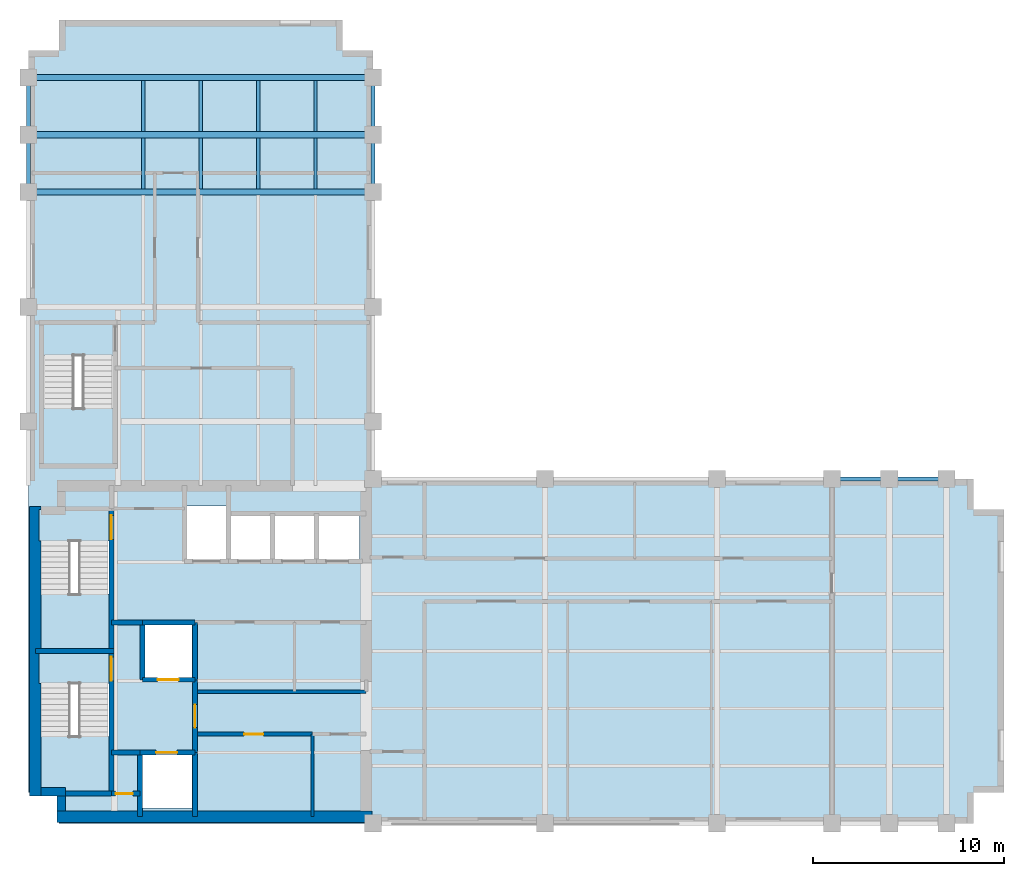
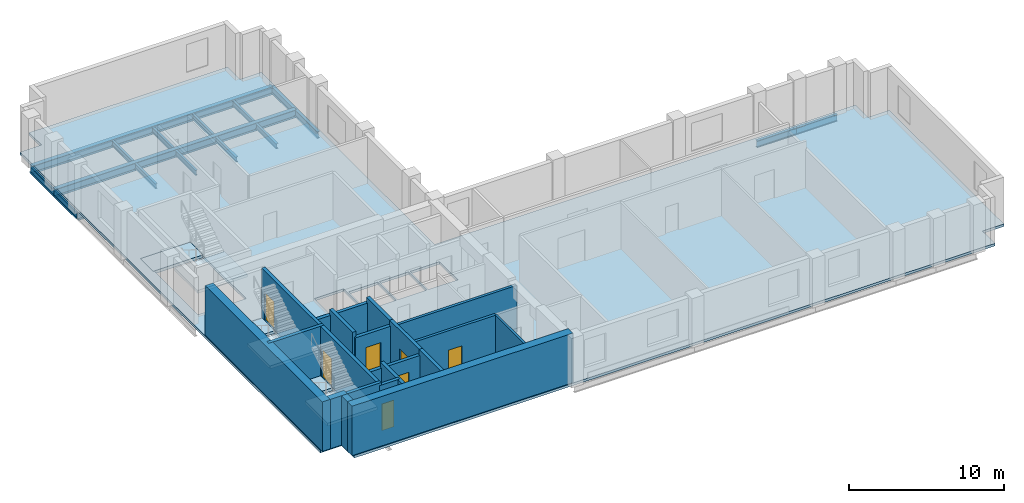
# One storey, part 2 of 6: 22 walls, 17 beams, 7 doors, 7 slabs, 7 openings, 3 elements without a shape of their own.
"""IFC4 building model written with IfcOpenShell, lengths in metres."""

from ifc_helpers import new_model, si_unit, direction, frame, frame_2d, origin, origin_2d, place, context, subcontext, project, spatial, polyline, rectangle, i_section, outline, extrude, material, layer, layer_set, material_profile, profile_set, type_object, element, fill, aggregate, save


model = new_model("IFC4")

# Units and contexts
model_context = context("Model", 3, precision=1e-05, world=origin(), true_north=direction((0.0, 1.0)))
body_context = subcontext(model_context, "Body", "Model", "MODEL_VIEW")
ifc_project = project(units=[si_unit("LENGTHUNIT", "METRE"), si_unit("AREAUNIT", "SQUARE_METRE"), si_unit("VOLUMEUNIT", "CUBIC_METRE"), si_unit("PLANEANGLEUNIT", "RADIAN"), si_unit("MASSUNIT", "GRAM", prefix="KILO")], contexts=[model_context])

# Site, building, storey
site_placement = place(None, origin())
site = spatial("IfcSite", under=ifc_project, at=site_placement, CompositionType="ELEMENT")
building_placement = place(site_placement, origin())
building = spatial("IfcBuilding", under=site, at=building_placement, Name="Mawjdan Bourse Tower", CompositionType="ELEMENT")
storey_placement = place(building_placement, frame((0.0, 0.0, 183.89990234375)))
storey = spatial("IfcBuildingStorey", under=building, at=storey_placement, Name="L44", CompositionType="ELEMENT", Elevation=183.89990234375)

# Beams
ifc_material_1 = material(Name="Structural Steel S355", Category="steel")
ifc_material_profile_1 = material_profile(ifc_material_1, i_section(OverallWidth=0.324951171875, OverallDepth=0.616943359375, WebThickness=0.013916015625, FlangeThickness=0.021484375, FilletRadius=0.017333984375, at=origin_2d()), Name="W24X117")
ifc_profile_set_1 = profile_set([ifc_material_profile_1], Name="Structural Steel S355")
beam_type_1 = type_object("IfcBeamType", Name="GRD-W24X117", PredefinedType="BEAM", material=ifc_profile_set_1)
for number, where, z_axis, x_axis, name in (
    (1, (6.0, 36.0, -0.50830078125), (1.0, 0.0, 0.0), (0.0, 1.0, 0.0), "L44 North Wing Clear-Span Girder 049"),
    (2, (6.0, 39.0, -0.50830078125), (1.0, 0.0, 0.0), (0.0, 1.0, 0.0), "L44 North Wing Clear-Span Girder 050"),
    (3, (6.0, 42.0, -0.50830078125), (1.0, 0.0, 0.0), (0.0, 1.0, 0.0), "L44 North Wing Clear-Span Girder 051"),
):
    element("IfcBeam", number, at=place(storey_placement, frame(where, z_axis=z_axis, x_axis=x_axis)), inside=storey, type_object=beam_type_1, Name=name, PredefinedType="BEAM", context=body_context, shape_type="SweptSolid", body=[
        extrude(i_section(OverallWidth=0.324951171875, OverallDepth=0.616943359375, WebThickness=0.013916015625, FlangeThickness=0.021484375, FilletRadius=0.017333984375, at=origin_2d()), origin(), (0.0, 0.0, 1.0), 18.0),
    ])
ifc_material_profile_2 = material_profile(ifc_material_1, i_section(OverallWidth=0.177978515625, OverallDepth=0.406982421875, WebThickness=0.0078125, FlangeThickness=0.0126953125, FilletRadius=0.01025390625, at=origin_2d()), Name="W16X40")
ifc_profile_set_2 = profile_set([ifc_material_profile_2], Name="Structural Steel S355")
beam_type_2 = type_object("IfcBeamType", Name="JST-W16X40", PredefinedType="JOIST", material=ifc_profile_set_2)
for number, where, z_axis, x_axis, name in (
    (4, (12.0, 36.160400390625, -0.4033203125), (0.0, 1.0, 0.0), (-1.0, 0.0, 0.0), "L44 North Wing Composite Joist 065"),
    (5, (12.0, 39.160400390625, -0.4033203125), (0.0, 1.0, 0.0), (-1.0, 0.0, 0.0), "L44 North Wing Composite Joist 066"),
    (6, (15.0, 36.160400390625, -0.4033203125), (0.0, 1.0, 0.0), (-1.0, 0.0, 0.0), "L44 North Wing Composite Joist 070"),
    (7, (15.0, 39.160400390625, -0.4033203125), (0.0, 1.0, 0.0), (-1.0, 0.0, 0.0), "L44 North Wing Composite Joist 071"),
    (8, (18.0, 36.160400390625, -0.4033203125), (0.0, 1.0, 0.0), (-1.0, 0.0, 0.0), "L44 North Wing Composite Joist 075"),
    (9, (18.0, 39.160400390625, -0.4033203125), (0.0, 1.0, 0.0), (-1.0, 0.0, 0.0), "L44 North Wing Composite Joist 076"),
    (10, (21.0, 36.160400390625, -0.4033203125), (0.0, 1.0, 0.0), (-1.0, 0.0, 0.0), "L44 North Wing Composite Joist 080"),
    (11, (21.0, 39.160400390625, -0.4033203125), (0.0, 1.0, 0.0), (-1.0, 0.0, 0.0), "L44 North Wing Composite Joist 081"),
):
    element("IfcBeam", number, at=place(storey_placement, frame(where, z_axis=z_axis, x_axis=x_axis)), inside=storey, type_object=beam_type_2, Name=name, PredefinedType="JOIST", context=body_context, shape_type="SweptSolid", body=[
        extrude(i_section(OverallWidth=0.177978515625, OverallDepth=0.406982421875, WebThickness=0.0078125, FlangeThickness=0.0126953125, FilletRadius=0.01025390625, at=origin_2d()), origin(), (0.0, 0.0, 1.0), 2.67919921875),
    ])
ifc_material_profile_3 = material_profile(ifc_material_1, i_section(OverallWidth=0.2119140625, OverallDepth=0.5439453125, WebThickness=0.01318359375, FlangeThickness=0.021240234375, FilletRadius=0.01708984375, at=origin_2d()), Name="W21X83")
ifc_profile_set_3 = profile_set([ifc_material_profile_3], Name="Structural Steel S355")
beam_type_3 = type_object("IfcBeamType", Name="SPN-W21X83", PredefinedType="SPANDREL", material=ifc_profile_set_3)
for number, where, z_axis, x_axis, name in (
    (12, (48.0, 21.0, -0.471923828125), (1.0, 0.0, 0.0), (0.0, 1.0, 0.0), "L44 Perimeter Masonry-Shelf Spandrel 015"),
    (13, (51.0, 21.0, -0.471923828125), (1.0, 0.0, 0.0), (0.0, 1.0, 0.0), "L44 Perimeter Masonry-Shelf Spandrel 016"),
    (14, (6.0, 36.0, -0.471923828125), (0.0, 1.0, 0.0), (-1.0, 0.0, 0.0), "L44 North Wing Spandrel 055"),
    (15, (6.0, 39.0, -0.471923828125), (0.0, 1.0, 0.0), (-1.0, 0.0, 0.0), "L44 North Wing Spandrel 056"),
    (16, (24.0, 36.0, -0.471923828125), (0.0, 1.0, 0.0), (-1.0, 0.0, 0.0), "L44 North Wing Spandrel 060"),
    (17, (24.0, 39.0, -0.471923828125), (0.0, 1.0, 0.0), (-1.0, 0.0, 0.0), "L44 North Wing Spandrel 061"),
):
    element("IfcBeam", number, at=place(storey_placement, frame(where, z_axis=z_axis, x_axis=x_axis)), inside=storey, type_object=beam_type_3, Name=name, PredefinedType="SPANDREL", context=body_context, shape_type="SweptSolid", body=[
        extrude(i_section(OverallWidth=0.2119140625, OverallDepth=0.5439453125, WebThickness=0.01318359375, FlangeThickness=0.021240234375, FilletRadius=0.01708984375, at=origin_2d()), origin(), (0.0, 0.0, 1.0), 3.0),
    ])

# Stair, slabs
ifc_material_2 = material(Name="Concrete C50/60", Category="concrete")
stair_type = type_object("IfcStairType", Name="STR-CORE-1500", PredefinedType="HALF_TURN_STAIR", material=ifc_material_2)
stair_1_placement = place(storey_placement, origin())
stair_1 = element("IfcStair", 18, at=stair_1_placement, inside=storey, type_object=stair_type, Name="L44 Exit Stair 1 (Core South-West)", PredefinedType="HALF_TURN_STAIR")
ifc_layer_1 = layer(ifc_material_2, 0.22998046875)
ifc_layer_set_1 = layer_set([ifc_layer_1], Name="Concrete C50/60")
slab_type_1 = type_object("IfcSlabType", Name="SL-LND-230", PredefinedType="LANDING", material=ifc_layer_set_1)
slab_1_placement = place(storey_placement, frame((0.0, 0.0, -0.22998046875)))
slab_1 = element("IfcSlab", 19, at=slab_1_placement, type_object=slab_type_1, Name="ST1-L44 landing 1", PredefinedType="LANDING", context=body_context, shape_type="SweptSolid", body=[
    extrude(outline(polyline([(6.5400390625, 10.31005859375), (10.260009765625, 10.31005859375), (10.260009765625, 11.969970703125), (6.5400390625, 11.969970703125), (6.5400390625, 10.31005859375)])), origin(), (0.0, 0.0, 1.0), 0.22998046875),
])
slab_2_placement = place(storey_placement, frame((0.0, 0.0, 1.72021484375)))
slab_2 = element("IfcSlab", 20, at=slab_2_placement, type_object=slab_type_1, Name="ST1-L44 landing 2", PredefinedType="LANDING", context=body_context, shape_type="SweptSolid", body=[
    extrude(outline(polyline([(6.5400390625, 4.590087890625), (10.260009765625, 4.590087890625), (10.260009765625, 7.5400390625), (6.5400390625, 7.5400390625), (6.5400390625, 4.590087890625)])), origin(), (0.0, 0.0, 1.0), 0.22998046875),
])
aggregate(stair_1, [slab_1, slab_2])

stair_2_placement = place(storey_placement, origin())
stair_2 = element("IfcStair", 21, at=stair_2_placement, inside=storey, type_object=stair_type, Name="L44 Exit Stair 2 (Core North-West)", PredefinedType="HALF_TURN_STAIR")
slab_3_placement = place(storey_placement, frame((0.0, 0.0, -0.22998046875)))
slab_3 = element("IfcSlab", 22, at=slab_3_placement, type_object=slab_type_1, Name="ST2-L44 landing 1", PredefinedType="LANDING", context=body_context, shape_type="SweptSolid", body=[
    extrude(outline(polyline([(6.5400390625, 17.75), (10.260009765625, 17.75), (10.260009765625, 19.409912109375), (6.5400390625, 19.409912109375), (6.5400390625, 17.75)])), origin(), (0.0, 0.0, 1.0), 0.22998046875),
])
slab_4_placement = place(storey_placement, frame((0.0, 0.0, 1.72021484375)))
slab_4 = element("IfcSlab", 23, at=slab_4_placement, type_object=slab_type_1, Name="ST2-L44 landing 2", PredefinedType="LANDING", context=body_context, shape_type="SweptSolid", body=[
    extrude(outline(polyline([(6.5400390625, 12.030029296875), (10.260009765625, 12.030029296875), (10.260009765625, 14.97998046875), (6.5400390625, 14.97998046875), (6.5400390625, 12.030029296875)])), origin(), (0.0, 0.0, 1.0), 0.22998046875),
])
aggregate(stair_2, [slab_3, slab_4])

stair_3_placement = place(storey_placement, origin())
stair_3 = element("IfcStair", 24, at=stair_3_placement, inside=storey, type_object=stair_type, Name="L44 Exit Stair 3 (North Wing)", PredefinedType="HALF_TURN_STAIR")
slab_5_placement = place(storey_placement, frame((0.0, 0.0, -0.22998046875)))
slab_5 = element("IfcSlab", 25, at=slab_5_placement, type_object=slab_type_1, Name="ST3-L44 landing 1", PredefinedType="LANDING", context=body_context, shape_type="SweptSolid", body=[
    extrude(outline(polyline([(6.739990234375, 27.4599609375), (10.4599609375, 27.4599609375), (10.4599609375, 29.1201171875), (6.739990234375, 29.1201171875), (6.739990234375, 27.4599609375)])), origin(), (0.0, 0.0, 1.0), 0.22998046875),
])
slab_6_placement = place(storey_placement, frame((0.0, 0.0, 1.72021484375)))
slab_6 = element("IfcSlab", 26, at=slab_6_placement, type_object=slab_type_1, Name="ST3-L44 landing 2", PredefinedType="LANDING", context=body_context, shape_type="SweptSolid", body=[
    extrude(outline(polyline([(6.739990234375, 21.739990234375), (10.4599609375, 21.739990234375), (10.4599609375, 24.68994140625), (6.739990234375, 24.68994140625), (6.739990234375, 21.739990234375)])), origin(), (0.0, 0.0, 1.0), 0.22998046875),
])
aggregate(stair_3, [slab_5, slab_6])

# Slab
ifc_layer_2 = layer(ifc_material_2, 0.199951171875)
ifc_layer_set_2 = layer_set([ifc_layer_2], Name="Concrete C50/60")
slab_type_2 = type_object("IfcSlabType", Name="SL-OFC-200", PredefinedType="FLOOR", material=ifc_layer_set_2)
slab_7_placement = place(storey_placement, frame((0.0, 0.0, -0.199951171875)))
element("IfcSlab", 27, at=slab_7_placement, inside=storey, type_object=slab_type_2, Name="L44 Structural Floor Slab 1", PredefinedType="FLOOR", context=body_context, shape_type="SweptSolid", body=[
    extrude(outline(polyline([(7.60009765625, 3.0), (55.39990234375, 3.0), (55.39990234375, 4.60009765625), (57.0, 4.60009765625), (57.0, 19.39990234375), (55.39990234375, 19.39990234375), (55.39990234375, 21.0), (24.0, 21.0), (24.0, 43.39990234375), (22.39990234375, 43.39990234375), (22.39990234375, 45.0), (7.60009765625, 45.0), (7.60009765625, 43.39990234375), (6.0, 43.39990234375), (6.0, 4.60009765625), (7.60009765625, 4.60009765625), (7.60009765625, 3.0)]), holes=[polyline([(6.5400390625, 11.969970703125), (10.260009765625, 11.969970703125), (10.260009765625, 10.31005859375), (10.199951171875, 10.31005859375), (10.199951171875, 4.64990234375), (6.60009765625, 4.64990234375), (6.60009765625, 10.31005859375), (6.5400390625, 10.31005859375), (6.5400390625, 11.969970703125)]), polyline([(6.60009765625, 12.090087890625), (6.60009765625, 17.75), (6.5400390625, 17.75), (6.5400390625, 19.409912109375), (10.260009765625, 19.409912109375), (10.260009765625, 17.75), (10.199951171875, 17.75), (10.199951171875, 12.090087890625), (6.60009765625, 12.090087890625)]), polyline([(10.4599609375, 29.1201171875), (10.4599609375, 27.4599609375), (10.39990234375, 27.4599609375), (10.39990234375, 21.800048828125), (6.800048828125, 21.800048828125), (6.800048828125, 27.4599609375), (6.739990234375, 27.4599609375), (6.739990234375, 29.1201171875), (10.4599609375, 29.1201171875)]), polyline([(14.550048828125, 3.800048828125), (11.949951171875, 3.800048828125), (11.949951171875, 6.60009765625), (14.550048828125, 6.60009765625), (14.550048828125, 3.800048828125)]), polyline([(12.050048828125, 10.60009765625), (12.050048828125, 13.39990234375), (14.550048828125, 13.39990234375), (14.550048828125, 10.60009765625), (12.050048828125, 10.60009765625)]), polyline([(16.5, 16.800048828125), (16.5, 19.14990234375), (18.699951171875, 19.14990234375), (18.699951171875, 16.800048828125), (16.5, 16.800048828125)]), polyline([(21.0, 16.800048828125), (18.800048828125, 16.800048828125), (18.800048828125, 19.14990234375), (21.0, 19.14990234375), (21.0, 16.800048828125)]), polyline([(21.10009765625, 16.800048828125), (21.10009765625, 19.14990234375), (23.300048828125, 19.14990234375), (23.300048828125, 16.800048828125), (21.10009765625, 16.800048828125)]), polyline([(14.199951171875, 16.800048828125), (14.199951171875, 19.60009765625), (16.39990234375, 19.60009765625), (16.39990234375, 16.800048828125), (14.199951171875, 16.800048828125)])]), origin(), (0.0, 0.0, 1.0), 0.199951171875),
])

# Wall, opening, door
ifc_material_3 = material(Name="Gypsum Fireboard Assembly")
ifc_layer_3 = layer(ifc_material_3, 0.199951171875)
ifc_layer_set_3 = layer_set([ifc_layer_3], Name="Gypsum Fireboard Assembly")
wall_type_1 = type_object("IfcWallType", Name="WL-CMP-200", PredefinedType="PARTITIONING", material=ifc_layer_set_3)
wall_1_placement = place(storey_placement, frame((14.699951171875, 7.659912109375, 0.0), z_axis=(0.0, 0.0, 1.0), x_axis=(1.0, 0.0, 0.0)))
wall_1 = element("IfcWall", 28, at=wall_1_placement, inside=storey, type_object=wall_type_1, Name="L44 Staff Wellness Lounge North Wall", PredefinedType="PARTITIONING", context=body_context, shape_type="SweptSolid", body=[
    extrude(rectangle(XDim=6.150146484375, YDim=0.199951171875, at=frame_2d((3.0751953125, 0.0))), origin(), (0.0, 0.0, 1.0), 3.690185546875),
])
opening_1_placement = place(wall_1_placement, frame((2.574951171875, 0.0, 0.0)))
opening_1 = element("IfcOpeningElement", 29, at=opening_1_placement, cuts=wall_1, Name="Opening D-L44-13", PredefinedType="OPENING", context=body_context, shape_type="SweptSolid", body=[
    extrude(rectangle(XDim=1.0, YDim=2.14990234375, at=frame_2d((0.5, 1.074951171875))), frame((0.0, 0.10986328125, 0.0), z_axis=(0.0, -1.0, 0.0), x_axis=(1.0, 0.0, 0.0)), (0.0, 0.0, 1.0), 0.219970703125),
])
ifc_material_4 = material(Name="Hardwood Acoustic Leaf", Category="wood")
door_type_1 = type_object("IfcDoorType", Name="DR-OFC-1000", OperationType="NOTDEFINED", PredefinedType="DOOR", material=ifc_material_4)
door_1_placement = place(opening_1_placement, origin())
door_1 = element("IfcDoor", 30, at=door_1_placement, inside=storey, type_object=door_type_1, Name="L44 Staff Wellness Lounge Door D-L44-13", OperationType="SINGLE_SWING_LEFT", OverallHeight=2.14990234375, OverallWidth=1.0, PredefinedType="DOOR", context=body_context, shape_type="SweptSolid", body=[
    extrude(rectangle(XDim=1.0, YDim=2.14990234375, at=frame_2d((0.5, 1.074951171875))), frame((0.0, 0.02490234375, 0.0), z_axis=(0.0, -1.0, 0.0), x_axis=(1.0, 0.0, 0.0)), (0.0, 0.0, 1.0), 0.050048828125),
])
fill(opening_1, door_1)

# Walls
wall_2_placement = place(storey_placement, frame((14.824951171875, 9.8798828125, 0.0), z_axis=(0.0, 0.0, 1.0), x_axis=(1.0, 0.0, 0.0)))
element("IfcWall", 31, at=wall_2_placement, inside=storey, type_object=wall_type_1, Name="L44 Core Restroom Suite South Wall", PredefinedType="PARTITIONING", context=body_context, shape_type="SweptSolid", body=[
    extrude(rectangle(XDim=8.824951171875, YDim=0.199951171875, at=frame_2d((4.41259765625, 0.0))), origin(), (0.0, 0.0, 1.0), 3.690185546875),
])
ifc_material_5 = material(Name="Concrete C60/75", Category="concrete")
ifc_layer_4 = layer(ifc_material_5, 0.449951171875)
ifc_layer_set_4 = layer_set([ifc_layer_4], Name="Concrete C60/75")
wall_type_2 = type_object("IfcWallType", Name="WL-CORE-450", PredefinedType="SHEAR", material=ifc_layer_set_4)
wall_3_placement = place(storey_placement, frame((6.64990234375, 4.64990234375, 0.0), z_axis=(0.0, 0.0, 1.0), x_axis=(1.0, 0.0, 0.0)))
element("IfcWall", 32, at=wall_3_placement, inside=storey, type_object=wall_type_2, Name="L44 Rear Core Shear Wall SW-X", PredefinedType="SHEAR", context=body_context, shape_type="SweptSolid", body=[
    extrude(rectangle(XDim=1.275146484375, YDim=0.449951171875, at=frame_2d((0.6376953125, 0.0))), origin(), (0.0, 0.0, 1.0), 3.900146484375),
])
wall_4_placement = place(storey_placement, frame((7.699951171875, 3.64990234375, 0.0), z_axis=(0.0, 0.0, 1.0), x_axis=(0.0, 1.0, 0.0)))
element("IfcWall", 33, at=wall_4_placement, inside=storey, type_object=wall_type_2, Name="L44 Rear Core Shear Wall SW-Y", PredefinedType="SHEAR", context=body_context, shape_type="SweptSolid", body=[
    extrude(rectangle(XDim=0.775146484375, YDim=0.449951171875, at=frame_2d((0.3876953125, 0.0))), origin(), (0.0, 0.0, 1.0), 3.900146484375),
])
ifc_material_6 = material(Name="Concrete C70/85", Category="concrete")
ifc_layer_5 = layer(ifc_material_6, 0.60009765625)
ifc_layer_set_5 = layer_set([ifc_layer_5], Name="Concrete C70/85")
wall_type_3 = type_object("IfcWallType", Name="WL-CORE-600", PredefinedType="SHEAR", material=ifc_layer_set_5)
wall_5_placement = place(storey_placement, frame((7.47509765625, 3.35009765625, 0.0), z_axis=(0.0, 0.0, 1.0), x_axis=(1.0, 0.0, 0.0)))
element("IfcWall", 34, at=wall_5_placement, inside=storey, type_object=wall_type_3, Name="L44 Rear Core Shear Wall S", PredefinedType="SHEAR", context=body_context, shape_type="SweptSolid", body=[
    extrude(rectangle(XDim=16.474853515625, YDim=0.60009765625, at=frame_2d((8.2373046875, 0.0))), origin(), (0.0, 0.0, 1.0), 3.900146484375),
])
wall_6_placement = place(storey_placement, frame((6.35009765625, 4.425048828125, 0.0), z_axis=(0.0, 0.0, 1.0), x_axis=(0.0, 1.0, 0.0)))
element("IfcWall", 35, at=wall_6_placement, inside=storey, type_object=wall_type_3, Name="L44 Rear Core Shear Wall W", PredefinedType="SHEAR", context=body_context, shape_type="SweptSolid", body=[
    extrude(rectangle(XDim=15.14990234375, YDim=0.60009765625, at=frame_2d((7.574951171875, 0.0))), origin(), (0.0, 0.0, 1.0), 3.900146484375),
])
ifc_material_7 = material(Name="Gypsum Acoustic Partition")
ifc_layer_6 = layer(ifc_material_7, 0.14990234375)
ifc_layer_set_6 = layer_set([ifc_layer_6], Name="Gypsum Acoustic Partition")
wall_type_4 = type_object("IfcWallType", Name="WL-PRT-150", PredefinedType="PARTITIONING", material=ifc_layer_set_6)
wall_7_placement = place(storey_placement, frame((20.85009765625, 3.35009765625, 0.0), z_axis=(0.0, 0.0, 1.0), x_axis=(0.0, 1.0, 0.0)))
element("IfcWall", 36, at=wall_7_placement, inside=storey, type_object=wall_type_4, Name="L44 Telemetry Control Room Core Split Wall", PredefinedType="PARTITIONING", context=body_context, shape_type="SweptSolid", body=[
    extrude(rectangle(XDim=4.309814453125, YDim=0.14990234375, at=frame_2d((2.15478515625, 0.0))), origin(), (0.0, 0.0, 1.0), 3.690185546875),
])

# Wall, opening, door
ifc_layer_7 = layer(ifc_material_2, 0.25)
ifc_layer_set_7 = layer_set([ifc_layer_7], Name="Concrete C50/60")
wall_type_5 = type_object("IfcWallType", Name="WL-SHFT-250", PredefinedType="PARTITIONING", material=ifc_layer_set_7)
wall_8_placement = place(storey_placement, frame((10.330078125, 4.550048828125, 0.0), z_axis=(0.0, 0.0, 1.0), x_axis=(1.0, 0.0, 0.0)))
wall_8 = element("IfcWall", 37, at=wall_8_placement, inside=storey, type_object=wall_type_5, Name="L44 SW Riser North Wall", PredefinedType="PARTITIONING", context=body_context, shape_type="SweptSolid", body=[
    extrude(rectangle(XDim=1.489990234375, YDim=0.25, at=frame_2d((0.7451171875, 0.0))), origin(), (0.0, 0.0, 1.0), 3.690185546875),
])
opening_2_placement = place(wall_8_placement, frame((0.219970703125, 0.0, 0.0)))
opening_2 = element("IfcOpeningElement", 38, at=opening_2_placement, cuts=wall_8, Name="Opening RD-L44-03", PredefinedType="OPENING", context=body_context, shape_type="SweptSolid", body=[
    extrude(rectangle(XDim=0.89990234375, YDim=2.10009765625, at=frame_2d((0.449951171875, 1.050048828125))), frame((0.0, 0.135009765625, 0.0), z_axis=(0.0, -1.0, 0.0), x_axis=(1.0, 0.0, 0.0)), (0.0, 0.0, 1.0), 0.27001953125),
])
ifc_material_8 = material(Name="Fire-Rated Steel Access Leaf", Category="steel")
door_type_2 = type_object("IfcDoorType", Name="FD-RSR-0900", OperationType="NOTDEFINED", PredefinedType="TRAPDOOR", material=ifc_material_8)
door_2_placement = place(opening_2_placement, origin())
door_2 = element("IfcDoor", 39, at=door_2_placement, inside=storey, type_object=door_type_2, Name="L44 Electrical Riser Access Door RD-L44-03", OperationType="SINGLE_SWING_LEFT", OverallHeight=2.10009765625, OverallWidth=0.89990234375, PredefinedType="TRAPDOOR", context=body_context, shape_type="SweptSolid", body=[
    extrude(rectangle(XDim=0.89990234375, YDim=2.10009765625, at=frame_2d((0.449951171875, 1.050048828125))), frame((0.0, 0.02490234375, 0.0), z_axis=(0.0, -1.0, 0.0), x_axis=(1.0, 0.0, 0.0)), (0.0, 0.0, 1.0), 0.050048828125),
])
fill(opening_2, door_2)

# Wall
wall_9_placement = place(storey_placement, frame((11.820068359375, 3.35009765625, 0.0), z_axis=(0.0, 0.0, 1.0), x_axis=(0.0, 1.0, 0.0)))
element("IfcWall", 40, at=wall_9_placement, inside=storey, type_object=wall_type_5, Name="L44 SW Riser & FFL01 West Wall", PredefinedType="PARTITIONING", context=body_context, shape_type="SweptSolid", body=[
    extrude(rectangle(XDim=3.349853515625, YDim=0.25, at=frame_2d((1.6748046875, 0.0))), origin(), (0.0, 0.0, 1.0), 3.690185546875),
])

# Wall, opening, door
wall_10_placement = place(storey_placement, frame((11.820068359375, 6.699951171875, 0.0), z_axis=(0.0, 0.0, 1.0), x_axis=(1.0, 0.0, 0.0)))
wall_10 = element("IfcWall", 41, at=wall_10_placement, inside=storey, type_object=wall_type_5, Name="L44 FFL-01 Front Shaft Wall", PredefinedType="PARTITIONING", context=body_context, shape_type="SweptSolid", body=[
    extrude(rectangle(XDim=2.8798828125, YDim=0.25, at=frame_2d((1.43994140625, 0.0))), origin(), (0.0, 0.0, 1.0), 3.283203125),
])
opening_3_placement = place(wall_10_placement, frame((0.85009765625, 0.0, 0.0)))
opening_3 = element("IfcOpeningElement", 42, at=opening_3_placement, cuts=wall_10, Name="Opening LD-L44-05", PredefinedType="OPENING", context=body_context, shape_type="SweptSolid", body=[
    extrude(rectangle(XDim=1.10009765625, YDim=2.25, at=frame_2d((0.550048828125, 1.125))), frame((0.0, 0.135009765625, 0.0), z_axis=(0.0, -1.0, 0.0), x_axis=(1.0, 0.0, 0.0)), (0.0, 0.0, 1.0), 0.27001953125),
])
ifc_material_9 = material(Name="Brushed Stainless Steel", Category="steel")
door_type_3 = type_object("IfcDoorType", Name="LD-FFL-1100", OperationType="DOUBLE_DOOR_SLIDING", PredefinedType="DOOR", material=ifc_material_9)
door_3_placement = place(opening_3_placement, origin())
door_3 = element("IfcDoor", 43, at=door_3_placement, inside=storey, type_object=door_type_3, Name="L44 Firefighting Lift FFL-01 Landing Door LD-L44-05", OperationType="DOUBLE_DOOR_SLIDING", OverallHeight=2.25, OverallWidth=1.10009765625, PredefinedType="DOOR", context=body_context, shape_type="SweptSolid", body=[
    extrude(rectangle(XDim=1.10009765625, YDim=2.25, at=frame_2d((0.550048828125, 1.125))), frame((0.0, 0.02490234375, 0.0), z_axis=(0.0, -1.0, 0.0), x_axis=(1.0, 0.0, 0.0)), (0.0, 0.0, 1.0), 0.050048828125),
])
fill(opening_3, door_3)

# Wall
wall_11_placement = place(storey_placement, frame((14.699951171875, 3.35009765625, 0.0), z_axis=(0.0, 0.0, 1.0), x_axis=(0.0, 1.0, 0.0)))
element("IfcWall", 44, at=wall_11_placement, inside=storey, type_object=wall_type_5, Name="L44 FFL-01 East Shaft Wall", PredefinedType="PARTITIONING", context=body_context, shape_type="SweptSolid", body=[
    extrude(rectangle(XDim=3.349853515625, YDim=0.25, at=frame_2d((1.6748046875, 0.0))), origin(), (0.0, 0.0, 1.0), 3.690185546875),
])

# Wall, opening, door
wall_12_placement = place(storey_placement, frame((11.949951171875, 10.5, 0.0), z_axis=(0.0, 0.0, 1.0), x_axis=(1.0, 0.0, 0.0)))
wall_12 = element("IfcWall", 45, at=wall_12_placement, inside=storey, type_object=wall_type_5, Name="L44 FFL-02 Front Shaft Wall", PredefinedType="PARTITIONING", context=body_context, shape_type="SweptSolid", body=[
    extrude(rectangle(XDim=2.75, YDim=0.25, at=frame_2d((1.375, 0.0))), origin(), (0.0, 0.0, 1.0), 3.283203125),
])
opening_4_placement = place(wall_12_placement, frame((0.800048828125, 0.0, 0.0)))
opening_4 = element("IfcOpeningElement", 46, at=opening_4_placement, cuts=wall_12, Name="Opening LD-L44-06", PredefinedType="OPENING", context=body_context, shape_type="SweptSolid", body=[
    extrude(rectangle(XDim=1.10009765625, YDim=2.25, at=frame_2d((0.550048828125, 1.125))), frame((0.0, 0.135009765625, 0.0), z_axis=(0.0, -1.0, 0.0), x_axis=(1.0, 0.0, 0.0)), (0.0, 0.0, 1.0), 0.27001953125),
])
door_4_placement = place(opening_4_placement, origin())
door_4 = element("IfcDoor", 47, at=door_4_placement, inside=storey, type_object=door_type_3, Name="L44 Firefighting Lift FFL-02 Landing Door LD-L44-06", OperationType="DOUBLE_DOOR_SLIDING", OverallHeight=2.25, OverallWidth=1.10009765625, PredefinedType="DOOR", context=body_context, shape_type="SweptSolid", body=[
    extrude(rectangle(XDim=1.10009765625, YDim=2.25, at=frame_2d((0.550048828125, 1.125))), frame((0.0, 0.02490234375, 0.0), z_axis=(0.0, -1.0, 0.0), x_axis=(1.0, 0.0, 0.0)), (0.0, 0.0, 1.0), 0.050048828125),
])
fill(opening_4, door_4)

# Walls
wall_13_placement = place(storey_placement, frame((11.949951171875, 10.5, 0.0), z_axis=(0.0, 0.0, 1.0), x_axis=(0.0, 1.0, 0.0)))
element("IfcWall", 48, at=wall_13_placement, inside=storey, type_object=wall_type_5, Name="L44 FFL-02 West Shaft Wall", PredefinedType="PARTITIONING", context=body_context, shape_type="SweptSolid", body=[
    extrude(rectangle(XDim=3.0, YDim=0.25, at=frame_2d((1.5, 0.0))), origin(), (0.0, 0.0, 1.0), 3.690185546875),
])
wall_14_placement = place(storey_placement, frame((11.949951171875, 13.5, 0.0), z_axis=(0.0, 0.0, 1.0), x_axis=(1.0, 0.0, 0.0)))
element("IfcWall", 49, at=wall_14_placement, inside=storey, type_object=wall_type_5, Name="L44 FFL-02 North Shaft Wall", PredefinedType="PARTITIONING", context=body_context, shape_type="SweptSolid", body=[
    extrude(rectangle(XDim=2.75, YDim=0.25, at=frame_2d((1.375, 0.0))), origin(), (0.0, 0.0, 1.0), 3.283203125),
])
wall_15_placement = place(storey_placement, frame((14.699951171875, 10.5, 0.0), z_axis=(0.0, 0.0, 1.0), x_axis=(0.0, 1.0, 0.0)))
element("IfcWall", 50, at=wall_15_placement, inside=storey, type_object=wall_type_5, Name="L44 FFL-02 East Shaft Wall", PredefinedType="PARTITIONING", context=body_context, shape_type="SweptSolid", body=[
    extrude(rectangle(XDim=3.0, YDim=0.25, at=frame_2d((1.5, 0.0))), origin(), (0.0, 0.0, 1.0), 3.690185546875),
])

# Wall, opening, door
wall_16_placement = place(storey_placement, frame((14.699951171875, 6.699951171875, 0.0), z_axis=(0.0, 0.0, 1.0), x_axis=(0.0, 1.0, 0.0)))
wall_16 = element("IfcWall", 51, at=wall_16_placement, inside=storey, type_object=wall_type_5, Name="L44 Firefighting Lobby East Compartment Wall", PredefinedType="PARTITIONING", context=body_context, shape_type="SweptSolid", body=[
    extrude(rectangle(XDim=3.800048828125, YDim=0.25, at=frame_2d((1.89990234375, 0.0))), origin(), (0.0, 0.0, 1.0), 3.690185546875),
])
opening_5_placement = place(wall_16_placement, frame((1.300048828125, 0.0, 0.0)))
opening_5 = element("IfcOpeningElement", 52, at=opening_5_placement, cuts=wall_16, Name="Opening FD-L44-07", PredefinedType="OPENING", context=body_context, shape_type="SweptSolid", body=[
    extrude(rectangle(XDim=1.199951171875, YDim=2.199951171875, at=frame_2d((0.60009765625, 1.10009765625))), frame((0.0, 0.135009765625, 0.0), z_axis=(0.0, -1.0, 0.0), x_axis=(1.0, 0.0, 0.0)), (0.0, 0.0, 1.0), 0.27001953125),
])
ifc_material_10 = material(Name="Fire-Rated Steel Leaf", Category="steel")
door_type_4 = type_object("IfcDoorType", Name="FD-FFL-1200", OperationType="NOTDEFINED", PredefinedType="DOOR", material=ifc_material_10)
door_5_placement = place(opening_5_placement, origin())
door_5 = element("IfcDoor", 53, at=door_5_placement, inside=storey, type_object=door_type_4, Name="L44 Firefighting Lobby East Smoke Door FD-L44-07", OperationType="SINGLE_SWING_LEFT", OverallHeight=2.199951171875, OverallWidth=1.199951171875, PredefinedType="DOOR", context=body_context, shape_type="SweptSolid", body=[
    extrude(rectangle(XDim=1.199951171875, YDim=2.199951171875, at=frame_2d((0.60009765625, 1.10009765625))), frame((0.0, 0.02490234375, 0.0), z_axis=(0.0, -1.0, 0.0), x_axis=(1.0, 0.0, 0.0)), (0.0, 0.0, 1.0), 0.050048828125),
])
fill(opening_5, door_5)

# Walls
wall_17_placement = place(storey_placement, frame((10.330078125, 13.5, 0.0), z_axis=(0.0, 0.0, 1.0), x_axis=(1.0, 0.0, 0.0)))
element("IfcWall", 54, at=wall_17_placement, inside=storey, type_object=wall_type_5, Name="L44 Firefighting Lobby North Compartment Wall", PredefinedType="PARTITIONING", context=body_context, shape_type="SweptSolid", body=[
    extrude(rectangle(XDim=1.619873046875, YDim=0.25, at=frame_2d((0.81005859375, 0.0))), origin(), (0.0, 0.0, 1.0), 3.283203125),
])
wall_18_placement = place(storey_placement, frame((10.330078125, 6.699951171875, 0.0), z_axis=(0.0, 0.0, 1.0), x_axis=(1.0, 0.0, 0.0)))
element("IfcWall", 55, at=wall_18_placement, inside=storey, type_object=wall_type_5, Name="L44 Firefighting Lobby South Closure Wall", PredefinedType="PARTITIONING", context=body_context, shape_type="SweptSolid", body=[
    extrude(rectangle(XDim=1.489990234375, YDim=0.25, at=frame_2d((0.7451171875, 0.0))), origin(), (0.0, 0.0, 1.0), 3.283203125),
])
ifc_layer_8 = layer(ifc_material_2, 0.25)
ifc_layer_set_8 = layer_set([ifc_layer_8], Name="Concrete C50/60")
wall_type_6 = type_object("IfcWallType", Name="WL-STRW-250", PredefinedType="SHEAR", material=ifc_layer_set_8)
wall_19_placement = place(storey_placement, frame((6.35009765625, 12.0, 0.0), z_axis=(0.0, 0.0, 1.0), x_axis=(1.0, 0.0, 0.0)))
element("IfcWall", 56, at=wall_19_placement, inside=storey, type_object=wall_type_6, Name="L44 Stairwell Dividing Shaft Wall", PredefinedType="SHEAR", context=body_context, shape_type="SweptSolid", body=[
    extrude(rectangle(XDim=4.10498046875, YDim=0.25, at=frame_2d((2.052490234375, 0.0))), origin(), (0.0, 0.0, 1.0), 3.900146484375),
])
wall_20_placement = place(storey_placement, frame((7.699951171875, 4.550048828125, 0.0), z_axis=(0.0, 0.0, 1.0), x_axis=(1.0, 0.0, 0.0)))
element("IfcWall", 57, at=wall_20_placement, inside=storey, type_object=wall_type_6, Name="L44 Stairwell ST1 South Shaft Wall", PredefinedType="SHEAR", context=body_context, shape_type="SweptSolid", body=[
    extrude(rectangle(XDim=2.755126953125, YDim=0.25, at=frame_2d((1.37744140625, 0.0))), origin(), (0.0, 0.0, 1.0), 3.900146484375),
])

# Wall, opening, door
wall_21_placement = place(storey_placement, frame((10.330078125, 4.550048828125, 0.0), z_axis=(0.0, 0.0, 1.0), x_axis=(0.0, 1.0, 0.0)))
wall_21 = element("IfcWall", 58, at=wall_21_placement, inside=storey, type_object=wall_type_6, Name="L44 Stairwell ST1 East Enclosure Wall", PredefinedType="SHEAR", context=body_context, shape_type="SweptSolid", body=[
    extrude(rectangle(XDim=7.449951171875, YDim=0.25, at=frame_2d((3.72509765625, 0.0))), origin(), (0.0, 0.0, 1.0), 3.900146484375),
])
opening_6_placement = place(wall_21_placement, frame((5.89990234375, 0.0, 0.0)))
opening_6 = element("IfcOpeningElement", 59, at=opening_6_placement, cuts=wall_21, Name="Opening SD-L44-01", PredefinedType="OPENING", context=body_context, shape_type="SweptSolid", body=[
    extrude(rectangle(XDim=1.25, YDim=2.199951171875, at=frame_2d((0.625, 1.10009765625))), frame((0.0, 0.135009765625, 0.0), z_axis=(0.0, -1.0, 0.0), x_axis=(1.0, 0.0, 0.0)), (0.0, 0.0, 1.0), 0.27001953125),
])
door_type_5 = type_object("IfcDoorType", Name="FD-ST-1250", OperationType="NOTDEFINED", PredefinedType="DOOR", material=ifc_material_10)
door_6_placement = place(opening_6_placement, origin())
door_6 = element("IfcDoor", 60, at=door_6_placement, inside=storey, type_object=door_type_5, Name="L44 Exit Stair ST1 Fire Door SD-L44-01", OperationType="SINGLE_SWING_LEFT", OverallHeight=2.199951171875, OverallWidth=1.25, PredefinedType="DOOR", context=body_context, shape_type="SweptSolid", body=[
    extrude(rectangle(XDim=1.25, YDim=2.199951171875, at=frame_2d((0.625, 1.10009765625))), frame((0.0, 0.02490234375, 0.0), z_axis=(0.0, -1.0, 0.0), x_axis=(1.0, 0.0, 0.0)), (0.0, 0.0, 1.0), 0.050048828125),
])
fill(opening_6, door_6)

wall_22_placement = place(storey_placement, frame((10.330078125, 12.0, 0.0), z_axis=(0.0, 0.0, 1.0), x_axis=(0.0, 1.0, 0.0)))
wall_22 = element("IfcWall", 61, at=wall_22_placement, inside=storey, type_object=wall_type_6, Name="L44 Stairwell ST2 East Enclosure Wall", PredefinedType="SHEAR", context=body_context, shape_type="SweptSolid", body=[
    extrude(rectangle(XDim=7.449951171875, YDim=0.25, at=frame_2d((3.72509765625, 0.0))), origin(), (0.0, 0.0, 1.0), 3.900146484375),
])
opening_7_placement = place(wall_22_placement, frame((5.85009765625, 0.0, 0.0)))
opening_7 = element("IfcOpeningElement", 62, at=opening_7_placement, cuts=wall_22, Name="Opening SD-L44-02", PredefinedType="OPENING", context=body_context, shape_type="SweptSolid", body=[
    extrude(rectangle(XDim=1.25, YDim=2.199951171875, at=frame_2d((0.625, 1.10009765625))), frame((0.0, 0.135009765625, 0.0), z_axis=(0.0, -1.0, 0.0), x_axis=(1.0, 0.0, 0.0)), (0.0, 0.0, 1.0), 0.27001953125),
])
door_7_placement = place(opening_7_placement, origin())
door_7 = element("IfcDoor", 63, at=door_7_placement, inside=storey, type_object=door_type_5, Name="L44 Exit Stair ST2 Fire Door SD-L44-02", OperationType="SINGLE_SWING_RIGHT", OverallHeight=2.199951171875, OverallWidth=1.25, PredefinedType="DOOR", context=body_context, shape_type="SweptSolid", body=[
    extrude(rectangle(XDim=1.25, YDim=2.199951171875, at=frame_2d((0.625, 1.10009765625))), frame((0.0, 0.02490234375, 0.0), z_axis=(0.0, -1.0, 0.0), x_axis=(1.0, 0.0, 0.0)), (0.0, 0.0, 1.0), 0.050048828125),
])
fill(opening_7, door_7)

save(model, "model.ifc")
